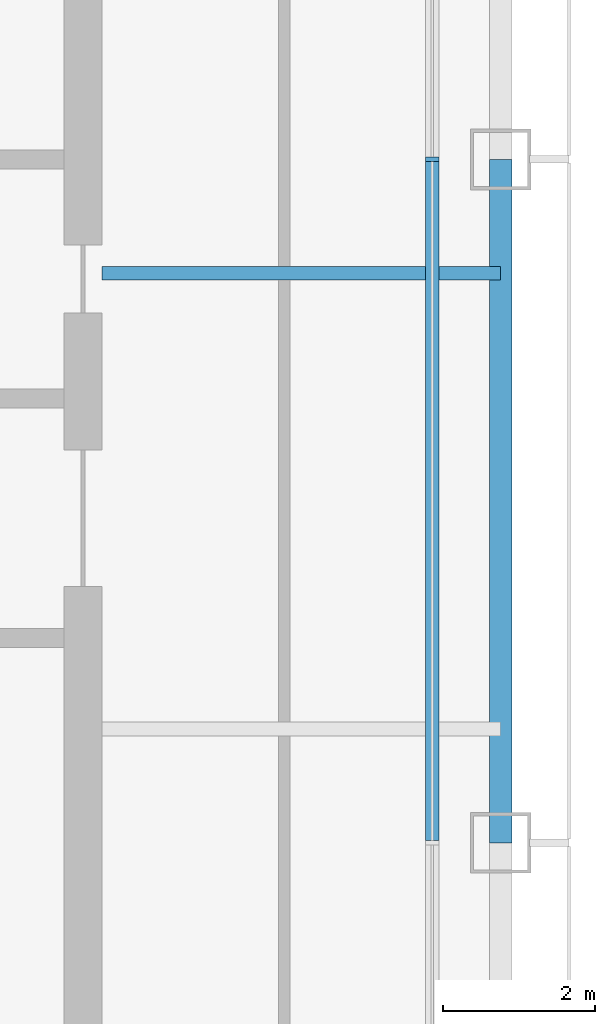
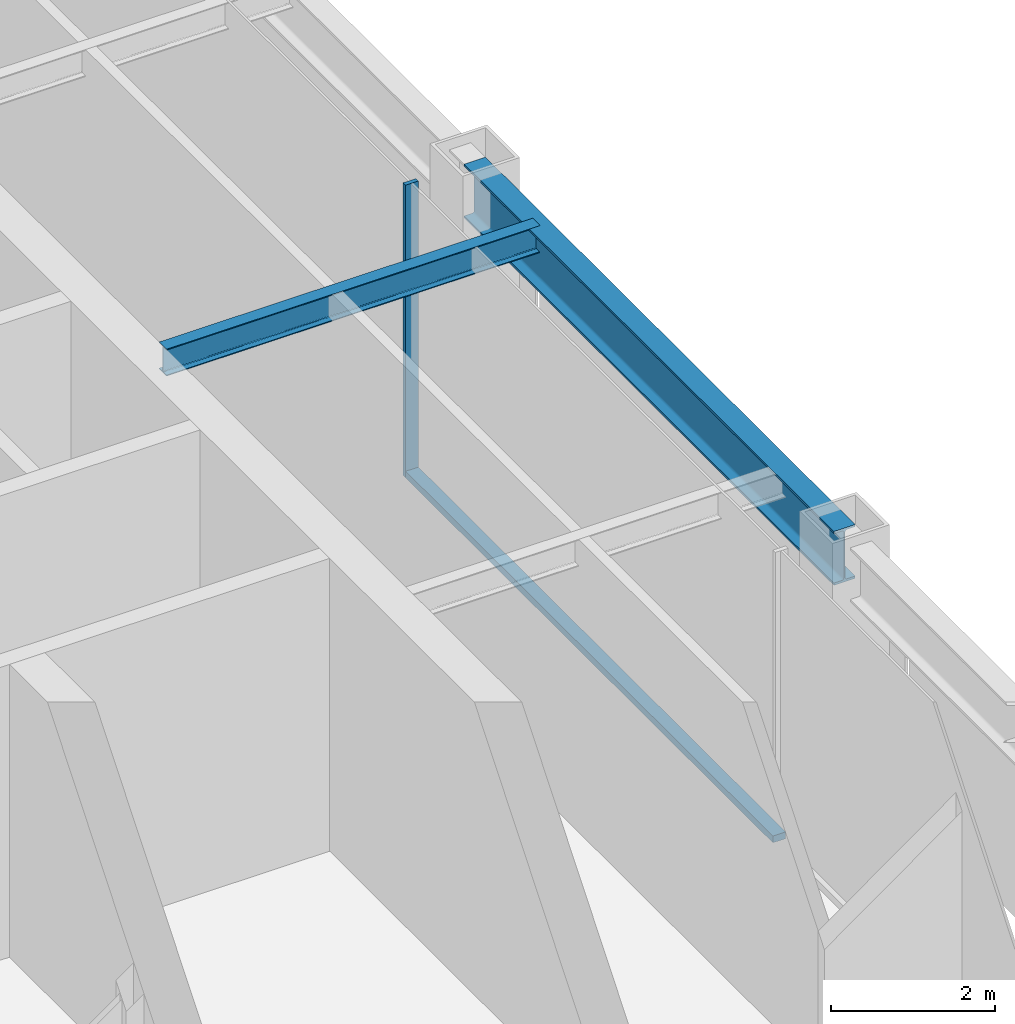
# One storey, part 5 of 22: 2 beams, 2 members, 1 element without a shape of its own.
"""IFC4 building model written with IfcOpenShell, lengths in metres."""

import ifcopenshell
import ifcopenshell.guid

model = None  # the IFC model being written
_history = None  # IfcOwnerHistory: only IFC2X3 demands one
_inside = {}  # id of a spatial element -> (the spatial element, [elements in it])
_under = {}  # id of a project, library or spatial element -> (it, [spatial elements below it])
_declared = {}  # id of a project -> (the project, [libraries it declares])
_typed = {}  # id of a type object -> (the type object, [elements of that type])
_made_of = {}  # id of a material, layer set ... -> (it, [elements and type objects made of it])


def new_model(schema):
    """Start an empty IFC model of exactly this schema.

    Asked for "IFC4X3", IfcOpenShell would pick the latest addendum, in which some entities
    have other attributes; the version numbers below select the first issue.
    IFC2X3 requires an IfcOwnerHistory on every rooted entity: one is made here for all.
    """
    global model, _history
    if schema == "IFC4X3":
        model = ifcopenshell.file(schema_version=(4, 3, 0, 0))
    else:
        model = ifcopenshell.file(schema=schema)
    _inside.clear()
    _under.clear()
    _declared.clear()
    _typed.clear()
    _made_of.clear()
    _history = None
    if model.schema == "IFC2X3":
        org = make("IfcOrganization", Name="unknown")
        user = make(
            "IfcPersonAndOrganization",
            ThePerson=make("IfcPerson", FamilyName="unknown"),
            TheOrganization=org,
        )
        app = make(
            "IfcApplication",
            ApplicationDeveloper=org,
            Version="unknown",
            ApplicationFullName="unknown",
            ApplicationIdentifier="unknown",
        )
        _history = make(
            "IfcOwnerHistory",
            OwningUser=user,
            OwningApplication=app,
            ChangeAction="ADDED",
            CreationDate=0,
        )
    return model


def make(cls, **values):
    """One entity of the class cls with the attributes given. An attribute that is None is left unset."""
    return model.create_entity(
        cls, **{name: value for name, value in values.items() if value is not None}
    )


def rooted(cls, **values):
    """An entity with a GlobalId (a new one), such as an element, a storey or a relation."""
    return make(cls, GlobalId=ifcopenshell.guid.new(), OwnerHistory=_history, **values)


def si_unit(unit_type, name, prefix=None):
    """IfcSIUnit, for example si_unit("LENGTHUNIT", "METRE", prefix="MILLI")."""
    return make("IfcSIUnit", UnitType=unit_type, Prefix=prefix, Name=name)


def assignment(units):
    """IfcUnitAssignment: the units of a project."""
    return None if units is None else make("IfcUnitAssignment", Units=units)


def point(xyz):
    """IfcCartesianPoint."""
    return None if xyz is None else make("IfcCartesianPoint", Coordinates=xyz)


def direction(xyz):
    """IfcDirection."""
    return None if xyz is None else make("IfcDirection", DirectionRatios=xyz)


def frame(location, z_axis=None, x_axis=None):
    """IfcAxis2Placement3D, a coordinate frame: its origin and axes. An axis left out is left unset."""
    return make(
        "IfcAxis2Placement3D",
        Location=point(location),
        Axis=direction(z_axis),
        RefDirection=direction(x_axis),
    )


def frame_2d(location, x_axis=None):
    """IfcAxis2Placement2D, a coordinate frame in the plane: its origin and x axis."""
    return make(
        "IfcAxis2Placement2D", Location=point(location), RefDirection=direction(x_axis)
    )


def origin():
    """The frame at (0, 0, 0) with its axes left unset."""
    return frame((0.0, 0.0, 0.0))


def origin_2d():
    """The frame at (0, 0) in the plane with its x axis left unset."""
    return frame_2d((0.0, 0.0))


def place(relative_to, where):
    """IfcLocalPlacement: puts the frame where relative to a parent placement (None: the world)."""
    return make(
        "IfcLocalPlacement", PlacementRelTo=relative_to, RelativePlacement=where
    )


def context(
    kind, dimensions, precision=None, world=None, true_north=None, identifier=None
):
    """IfcGeometricRepresentationContext, for example the 3D "Model" context."""
    return make(
        "IfcGeometricRepresentationContext",
        ContextIdentifier=identifier,
        ContextType=kind,
        CoordinateSpaceDimension=dimensions,
        Precision=precision,
        WorldCoordinateSystem=world,
        TrueNorth=true_north,
    )


def subcontext(parent, identifier, kind, view, scale=None):
    """IfcGeometricRepresentationSubContext, for example "Body" below "Model"."""
    return make(
        "IfcGeometricRepresentationSubContext",
        ContextIdentifier=identifier,
        ContextType=kind,
        ParentContext=parent,
        TargetScale=scale,
        TargetView=view,
    )


def project(units=None, contexts=None):
    """IfcProject with its units and contexts."""
    return rooted(
        "IfcProject",
        Name="project",
        RepresentationContexts=contexts,
        UnitsInContext=assignment(units),
    )


def spatial(cls, under=None, at=None, **own):
    """A site, building, storey or space (cls), placed at a placement, below another one or the project."""
    s = rooted(cls, ObjectPlacement=at, **own)
    if under is not None:
        _under.setdefault(under.id(), (under, []))[1].append(s)
    return s


def profile(cls, at=None, kind="AREA", **sizes):
    """A parametric profile (cls). Its sizes go by their IFC names, for example OverallWidth=200.0."""
    return make(cls, ProfileType=kind, Position=at, **sizes)


def rectangle(**sizes):
    """IfcRectangleProfileDef."""
    return profile("IfcRectangleProfileDef", **sizes)


def i_section(**sizes):
    """IfcIShapeProfileDef."""
    return profile("IfcIShapeProfileDef", **sizes)


def extrude(swept, where, along, depth):
    """IfcExtrudedAreaSolid: the profile swept, set in the frame where, extruded along a direction by depth."""
    return make(
        "IfcExtrudedAreaSolid",
        SweptArea=swept,
        Position=where,
        ExtrudedDirection=direction(along),
        Depth=depth,
    )


def shape(context_of_items, identifier, shape_type, items):
    """IfcShapeRepresentation: the items that make up one representation, for example the "Body"."""
    return make(
        "IfcShapeRepresentation",
        ContextOfItems=context_of_items,
        RepresentationIdentifier=identifier,
        RepresentationType=shape_type,
        Items=items,
    )


def material(Name=None, Category=None):
    """IfcMaterial."""
    return make("IfcMaterial", Name=Name, Category=Category)


def layer(
    of_material, thickness, ventilated=None, Name=None, Category=None, Priority=None
):
    """IfcMaterialLayer: one layer of a wall or slab, of a material (None: an air gap)."""
    return make(
        "IfcMaterialLayer",
        Material=of_material,
        LayerThickness=thickness,
        IsVentilated=ventilated,
        Name=Name,
        Category=Category,
        Priority=Priority,
    )


def layer_set(layers, Name=None):
    """IfcMaterialLayerSet."""
    return make("IfcMaterialLayerSet", MaterialLayers=layers, LayerSetName=Name)


def material_profile(
    of_material, cross_section, Name=None, Category=None, Priority=None
):
    """IfcMaterialProfile: a cross section and its material."""
    return make(
        "IfcMaterialProfile",
        Name=Name,
        Material=of_material,
        Profile=cross_section,
        Priority=Priority,
        Category=Category,
    )


def profile_set(profiles, Name=None, composite=None):
    """IfcMaterialProfileSet."""
    return make(
        "IfcMaterialProfileSet",
        Name=Name,
        MaterialProfiles=profiles,
        CompositeProfile=composite,
    )


def made_of(thing, what):
    """Note that an element or type object is made of a material, layer set ...; save() writes the relation."""
    if what is not None:
        _made_of.setdefault(what.id(), (what, []))[1].append(thing)
    return thing


def type_object(cls, material=None, **own):
    """A type object (cls), such as IfcWallType, which elements share."""
    return made_of(rooted(cls, **own), material)


def element(
    cls,
    number,
    at=None,
    inside=None,
    cuts=None,
    type_object=None,
    material=None,
    context=None,
    identifier="Body",
    shape_type=None,
    held_by="IfcProductDefinitionShape",
    body=None,
    shapes=None,
    **own,
):
    """One element of the class cls, such as IfcWall. Its Tag is "e" and its number.

    at: its placement. inside: the storey or other place that contains it. cuts: it is an
    opening in that element (IfcRelVoidsElement). A single representation is given by context,
    identifier, shape_type and body (its items); several are given by shapes. held_by: the class
    of the entity that holds the representations. save() writes the other relations.
    """
    e = rooted(cls, Tag="e%d" % number, ObjectPlacement=at, **own)
    if body is not None:
        shapes = [shape(context, identifier, shape_type, body)]
    if shapes is not None:
        e.Representation = make(held_by, Representations=shapes)
    if inside is not None:
        _inside.setdefault(inside.id(), (inside, []))[1].append(e)
    if cuts is not None:
        rooted(
            "IfcRelVoidsElement", RelatingBuildingElement=cuts, RelatedOpeningElement=e
        )
    if type_object is not None:
        _typed.setdefault(type_object.id(), (type_object, []))[1].append(e)
    return made_of(e, material)


def aggregate(whole, parts):
    """IfcRelAggregates: a whole, such as a stair, and the parts it consists of."""
    return rooted("IfcRelAggregates", RelatingObject=whole, RelatedObjects=parts)


def save(model, path):
    """Write the relations noted so far, then the file.

    IfcRelAggregates (storeys below a building ...), IfcRelContainedInSpatialStructure (elements
    in a storey), IfcRelDefinesByType, IfcRelAssociatesMaterial and IfcRelDeclares: one each for
    every whole, place, type object, material and project.
    """
    for whole, parts in _under.values():
        aggregate(whole, parts)
    for where, things in _inside.values():
        rooted(
            "IfcRelContainedInSpatialStructure",
            RelatedElements=things,
            RelatingStructure=where,
        )
    for kind, things in _typed.values():
        rooted("IfcRelDefinesByType", RelatedObjects=things, RelatingType=kind)
    for what, things in _made_of.values():
        rooted("IfcRelAssociatesMaterial", RelatedObjects=things, RelatingMaterial=what)
    for by, libraries in _declared.values():
        rooted("IfcRelDeclares", RelatingContext=by, RelatedDefinitions=libraries)
    model.write(path)


model = new_model("IFC4")

# Units and contexts
model_context = context("Model", 3, precision=1e-05, world=origin(), true_north=direction((0.0, 1.0)))
body_context = subcontext(model_context, "Body", "Model", "MODEL_VIEW")
ifc_project = project(units=[si_unit("LENGTHUNIT", "METRE"), si_unit("AREAUNIT", "SQUARE_METRE"), si_unit("VOLUMEUNIT", "CUBIC_METRE"), si_unit("PLANEANGLEUNIT", "RADIAN"), si_unit("MASSUNIT", "GRAM", prefix="KILO")], contexts=[model_context])

# Site, building, storey
site_placement = place(None, origin())
site = spatial("IfcSite", under=ifc_project, at=site_placement, CompositionType="ELEMENT")
building_placement = place(site_placement, origin())
building = spatial("IfcBuilding", under=site, at=building_placement, Name="Siwar Civic Tower", CompositionType="ELEMENT")
storey_placement = place(building_placement, frame((0.0, 0.0, 255.699951171875)))
storey = spatial("IfcBuildingStorey", under=building, at=storey_placement, Name="L55", CompositionType="ELEMENT", Elevation=255.699951171875)

# Curtain wall, members
ifc_material_1 = material(Name="Aluminium and glass", Category="aluminium")
ifc_layer = layer(ifc_material_1, 0.179931640625)
ifc_layer_set = layer_set([ifc_layer], Name="Aluminium and glass")
curtain_wall_type = type_object("IfcCurtainWallType", Name="ENV-CW-C", PredefinedType="NOTDEFINED", material=ifc_layer_set)
curtain_wall_placement = place(storey_placement, origin())
curtain_wall = element("IfcCurtainWall", 1, at=curtain_wall_placement, inside=storey, type_object=curtain_wall_type, Name="Curtain wall C E", PredefinedType="NOTDEFINED")
ifc_material_2 = material(Name="Aluminium 6063-T6", Category="aluminium")
ifc_material_profile_1 = material_profile(ifc_material_2, rectangle(XDim=0.179931640625, YDim=0.06005859375, at=origin_2d()), Name="AL 180x60")
ifc_profile_set_1 = profile_set([ifc_material_profile_1], Name="Aluminium 6063-T6")
member_type_1 = type_object("IfcMemberType", Name="ENV-MULLION-C", PredefinedType="MULLION", material=ifc_profile_set_1)
member_1_placement = place(storey_placement, frame((26.10009765625, 0.0, 0.0), z_axis=(0.0, 0.0, 1.0), x_axis=(-1.0, 0.0, 0.0)))
member_1 = element("IfcMember", 2, at=member_1_placement, type_object=member_type_1, Name="Mullion C E 3", PredefinedType="MULLION", context=body_context, shape_type="SweptSolid", body=[
    extrude(rectangle(XDim=0.179931640625, YDim=0.06005859375, at=origin_2d()), origin(), (0.0, 0.0, 1.0), 4.35009765625),
])
ifc_material_3 = material(Name="Aluminium 6063-T6", Category="aluminium")
ifc_material_profile_2 = material_profile(ifc_material_3, rectangle(XDim=0.179931640625, YDim=0.10009765625, at=origin_2d()), Name="AL 180x100")
ifc_profile_set_2 = profile_set([ifc_material_profile_2], Name="Aluminium 6063-T6")
member_type_2 = type_object("IfcMemberType", Name="ENV-TRANSOM-C", PredefinedType="USERDEFINED", material=ifc_profile_set_2)
member_2_placement = place(storey_placement, frame((26.10009765625, -8.969970703125, 0.050048828125), z_axis=(0.0, 1.0, 0.0), x_axis=(-1.0, 0.0, 0.0)))
member_2 = element("IfcMember", 3, at=member_2_placement, type_object=member_type_2, Name="Transom C E 2", ObjectType="TRANSOM", PredefinedType="USERDEFINED", context=body_context, shape_type="SweptSolid", body=[
    extrude(rectangle(XDim=0.179931640625, YDim=0.10009765625, at=origin_2d()), origin(), (0.0, 0.0, 1.0), 8.93994140625),
])
aggregate(curtain_wall, [member_1, member_2])

# Beams
ifc_material_4 = material(Name="Steel S355", Category="steel")
ifc_material_profile_3 = material_profile(ifc_material_4, i_section(OverallWidth=0.179931640625, OverallDepth=0.39990234375, WebThickness=0.008544921875, FlangeThickness=0.013427734375, FilletRadius=0.02099609375, at=origin_2d()), Name="IPE400")
ifc_profile_set_3 = profile_set([ifc_material_profile_3], Name="Steel S355")
beam_type_1 = type_object("IfcBeamType", Name="STR-FB-IPE400", PredefinedType="JOIST", material=ifc_profile_set_3)
beam_1_placement = place(storey_placement, frame((21.75, -1.5, 4.150146484375), z_axis=(1.0, 0.0, 0.0), x_axis=(0.0, 1.0, 0.0)))
element("IfcBeam", 4, at=beam_1_placement, inside=storey, type_object=beam_type_1, Name="L55/bm/F024", PredefinedType="JOIST", context=body_context, shape_type="SweptSolid", body=[
    extrude(i_section(OverallWidth=0.179931640625, OverallDepth=0.39990234375, WebThickness=0.008544921875, FlangeThickness=0.013427734375, FilletRadius=0.02099609375, at=origin_2d()), origin(), (0.0, 0.0, 1.0), 5.25),
])
ifc_material_5 = material(Name="Steel S355", Category="steel")
ifc_material_profile_4 = material_profile(ifc_material_5, i_section(OverallWidth=0.300048828125, OverallDepth=0.800048828125, WebThickness=0.017578125, FlangeThickness=0.032958984375, FilletRadius=0.030029296875, at=origin_2d()), Name="HEB800")
ifc_profile_set_4 = profile_set([ifc_material_profile_4], Name="Steel S355")
beam_type_2 = type_object("IfcBeamType", Name="STR-SB-HEB800", PredefinedType="BEAM", material=ifc_profile_set_4)
beam_2_placement = place(storey_placement, frame((27.0, -9.0, 3.949951171875), z_axis=(0.0, 1.0, 0.0), x_axis=(-1.0, 0.0, 0.0)))
element("IfcBeam", 5, at=beam_2_placement, inside=storey, type_object=beam_type_2, Name="L55/bm/SE-1", PredefinedType="BEAM", context=body_context, shape_type="SweptSolid", body=[
    extrude(i_section(OverallWidth=0.300048828125, OverallDepth=0.800048828125, WebThickness=0.017578125, FlangeThickness=0.032958984375, FilletRadius=0.030029296875, at=origin_2d()), origin(), (0.0, 0.0, 1.0), 9.0),
])

save(model, "model.ifc")
